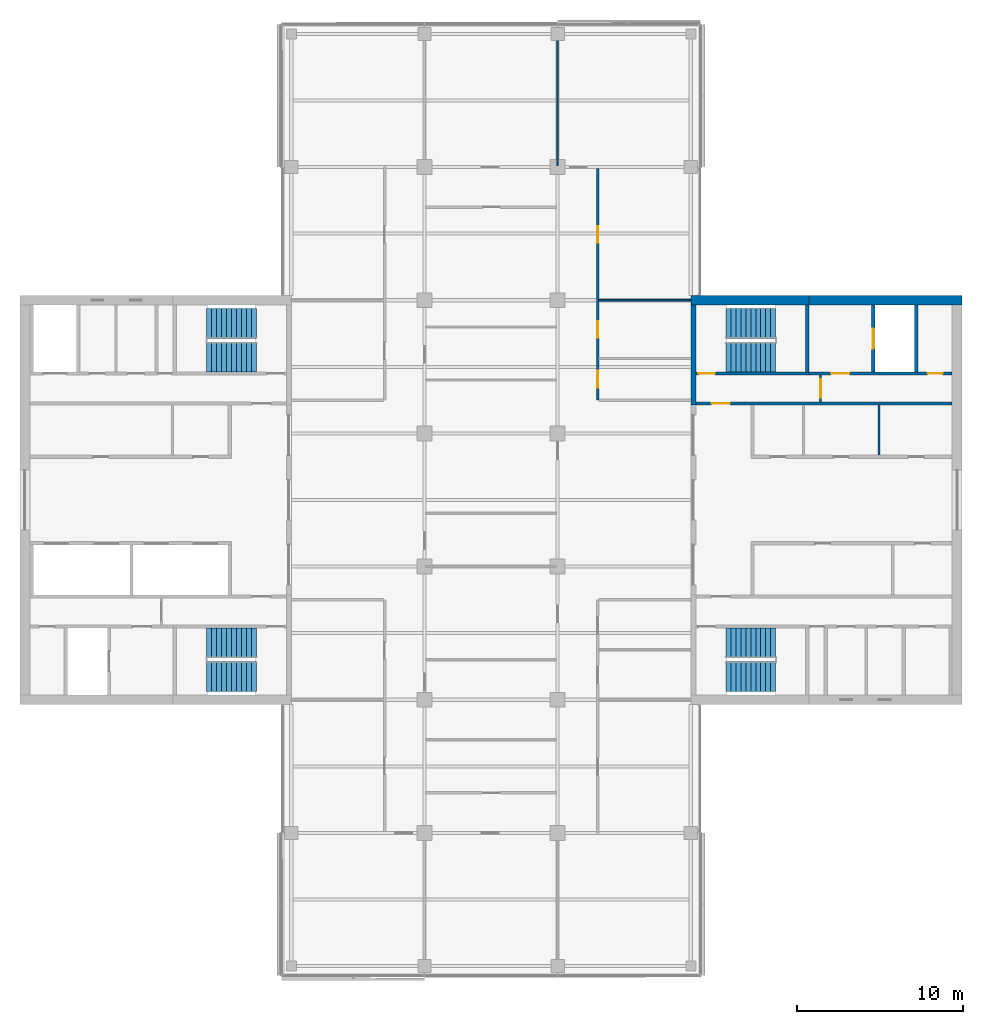
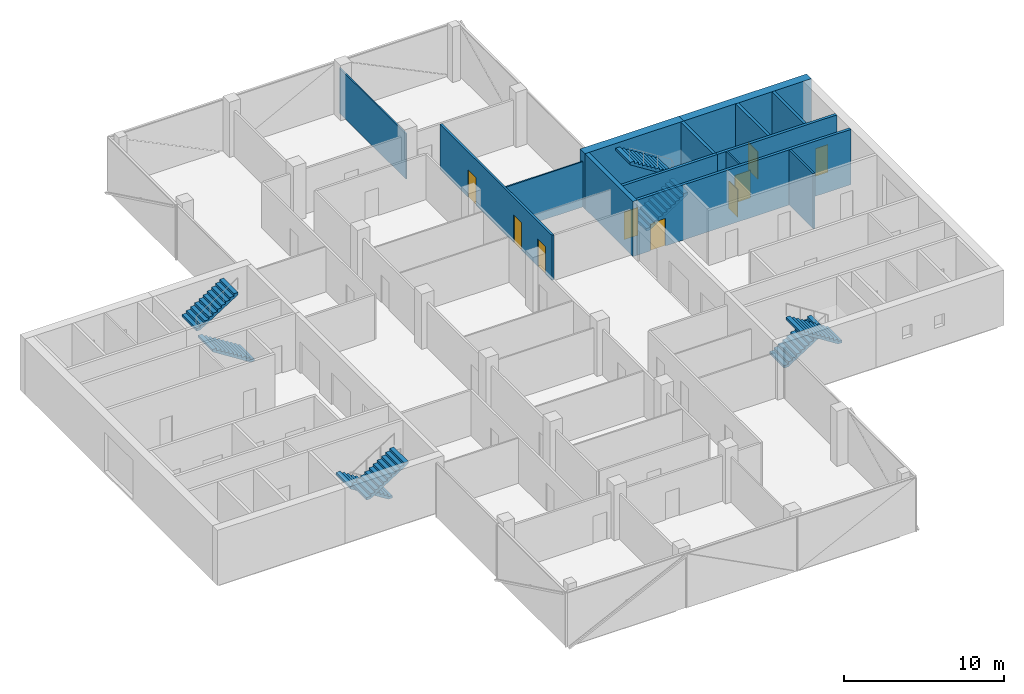
# One storey, part 12 of 15: 14 walls, 9 doors, 8 stair flights, 9 openings, 4 elements without a shape of their own.
"""IFC4 building model written with IfcOpenShell, lengths in metres."""

from ifc_helpers import new_model, si_unit, direction, frame, frame_2d, origin, place, context, subcontext, project, spatial, polyline, rectangle, outline, extrude, material, layer, layer_set, constituent, constituent_set, type_object, element, fill, aggregate, save


model = new_model("IFC4")

# Units and contexts
model_context = context("Model", 3, precision=1e-05, world=origin(), true_north=direction((0.0, 1.0)))
body_context = subcontext(model_context, "Body", "Model", "MODEL_VIEW")
ifc_project = project(units=[si_unit("LENGTHUNIT", "METRE"), si_unit("AREAUNIT", "SQUARE_METRE"), si_unit("VOLUMEUNIT", "CUBIC_METRE"), si_unit("PLANEANGLEUNIT", "RADIAN"), si_unit("MASSUNIT", "GRAM", prefix="KILO")], contexts=[model_context])

# Site, building, storey
site_placement = place(None, origin())
site = spatial("IfcSite", under=ifc_project, at=site_placement, CompositionType="ELEMENT")
building_placement = place(site_placement, origin())
building = spatial("IfcBuilding", under=site, at=building_placement, Name="Crosswind Convention Tower", CompositionType="ELEMENT")
storey_placement = place(building_placement, frame((0.0, 0.0, 199.89990234375)))
storey = spatial("IfcBuildingStorey", under=building, at=storey_placement, Name="L42", CompositionType="ELEMENT", Elevation=199.89990234375)

# Wall
ifc_material_1 = material(Name="Concrete C50/60", Category="concrete")
ifc_layer_1 = layer(ifc_material_1, 0.300048828125)
ifc_layer_set_1 = layer_set([ifc_layer_1], Name="Concrete C50/60")
wall_type_1 = type_object("IfcWallType", Name="Concrete inner core wall 300", PredefinedType="SHEAR", material=ifc_layer_set_1)
wall_1_placement = place(storey_placement, frame((137.14990234375, 105.699951171875, 0.0), z_axis=(0.0, 0.0, 1.0), x_axis=(0.0, 1.0, 0.0)))
element("IfcWall", 1, at=wall_1_placement, inside=storey, type_object=wall_type_1, Name="Wall EP E L42", PredefinedType="SHEAR", context=body_context, shape_type="SweptSolid", body=[
    extrude(rectangle(XDim=6.0, YDim=0.300048828125, at=frame_2d((3.0, 0.0))), origin(), (0.0, 0.0, 1.0), 4.2001953125),
])

# Wall, opening, door
ifc_layer_2 = layer(ifc_material_1, 0.199951171875)
ifc_layer_set_2 = layer_set([ifc_layer_2], Name="Concrete C50/60")
wall_type_2 = type_object("IfcWallType", Name="Concrete shaft and stair wall 200", PredefinedType="SHEAR", material=ifc_layer_set_2)
wall_2_placement = place(storey_placement, frame((137.300048828125, 105.800048828125, 0.0), z_axis=(0.0, 0.0, 1.0), x_axis=(1.0, 0.0, 0.0)))
wall_2 = element("IfcWall", 2, at=wall_2_placement, inside=storey, type_object=wall_type_2, Name="Wall HP E L42", PredefinedType="SHEAR", context=body_context, shape_type="SweptSolid", body=[
    extrude(rectangle(XDim=15.39990234375, YDim=0.199951171875, at=frame_2d((7.699951171875, 0.0))), origin(), (0.0, 0.0, 1.0), 4.2001953125),
])
opening_1_placement = place(wall_2_placement, frame((0.949951171875, 0.0, 0.0)))
opening_1 = element("IfcOpeningElement", 3, at=opening_1_placement, cuts=wall_2, Name="Opening D104", PredefinedType="OPENING", context=body_context, shape_type="SweptSolid", body=[
    extrude(rectangle(XDim=1.10009765625, YDim=2.10009765625, at=frame_2d((0.550048828125, 1.050048828125))), frame((0.0, 0.10986328125, 0.0), z_axis=(0.0, -1.0, 0.0), x_axis=(1.0, 0.0, 0.0)), (0.0, 0.0, 1.0), 0.219970703125),
])
ifc_material_2 = material(Name="Steel fire door", Category="steel")
door_type_1 = type_object("IfcDoorType", Name="Fire-rated single door 1100x2100", OperationType="NOTDEFINED", PredefinedType="DOOR", material=ifc_material_2)
door_1_placement = place(opening_1_placement, origin())
door_1 = element("IfcDoor", 4, at=door_1_placement, inside=storey, type_object=door_type_1, Name="Corridor door L42", ObjectType="D104", OperationType="SINGLE_SWING_LEFT", OverallHeight=2.10009765625, OverallWidth=1.10009765625, PredefinedType="DOOR", context=body_context, shape_type="SweptSolid", body=[
    extrude(rectangle(XDim=1.10009765625, YDim=2.10009765625, at=frame_2d((0.550048828125, 1.050048828125))), frame((0.0, 0.02490234375, 0.0), z_axis=(0.0, -1.0, 0.0), x_axis=(1.0, 0.0, 0.0)), (0.0, 0.0, 1.0), 0.050048828125),
])
fill(opening_1, door_1)

# Wall
wall_3_placement = place(storey_placement, frame((144.0, 107.699951171875, 0.0), z_axis=(0.0, 0.0, 1.0), x_axis=(0.0, 1.0, 0.0)))
element("IfcWall", 5, at=wall_3_placement, inside=storey, type_object=wall_type_2, Name="Wall PSE E L42", PredefinedType="SHEAR", context=body_context, shape_type="SweptSolid", body=[
    extrude(rectangle(XDim=4.0, YDim=0.199951171875, at=frame_2d((2.0, 0.0))), origin(), (0.0, 0.0, 1.0), 4.2001953125),
])

# Wall, opening, door
wall_4_placement = place(storey_placement, frame((147.949951171875, 107.699951171875, 0.0), z_axis=(0.0, 0.0, 1.0), x_axis=(0.0, 1.0, 0.0)))
wall_4 = element("IfcWall", 6, at=wall_4_placement, inside=storey, type_object=wall_type_2, Name="Wall PFLW E L42", PredefinedType="SHEAR", context=body_context, shape_type="SweptSolid", body=[
    extrude(rectangle(XDim=4.0, YDim=0.199951171875, at=frame_2d((2.0, 0.0))), origin(), (0.0, 0.0, 1.0), 4.2001953125),
])
opening_2_placement = place(wall_4_placement, frame((1.39990234375, 0.0, 0.0)))
opening_2 = element("IfcOpeningElement", 7, at=opening_2_placement, cuts=wall_4, Name="Opening LD1", PredefinedType="OPENING", context=body_context, shape_type="SweptSolid", body=[
    extrude(rectangle(XDim=1.199951171875, YDim=2.10009765625, at=frame_2d((0.60009765625, 1.050048828125))), frame((0.0, 0.10986328125, 0.0), z_axis=(0.0, -1.0, 0.0), x_axis=(1.0, 0.0, 0.0)), (0.0, 0.0, 1.0), 0.219970703125),
])
ifc_material_3 = material(Name="Stainless steel", Category="steel")
door_type_2 = type_object("IfcDoorType", Name="Lift landing door 1200x2100", OperationType="DOUBLE_DOOR_SLIDING", PredefinedType="DOOR", material=ifc_material_3)
door_2_placement = place(opening_2_placement, origin())
door_2 = element("IfcDoor", 8, at=door_2_placement, inside=storey, type_object=door_type_2, Name="Landing door FF1 L42", ObjectType="LD1", OperationType="DOUBLE_DOOR_SLIDING", OverallHeight=2.10009765625, OverallWidth=1.199951171875, PredefinedType="DOOR", context=body_context, shape_type="SweptSolid", body=[
    extrude(rectangle(XDim=1.199951171875, YDim=2.10009765625, at=frame_2d((0.60009765625, 1.050048828125))), frame((0.0, 0.02490234375, 0.0), z_axis=(0.0, -1.0, 0.0), x_axis=(1.0, 0.0, 0.0)), (0.0, 0.0, 1.0), 0.050048828125),
])
fill(opening_2, door_2)

# Wall
wall_5_placement = place(storey_placement, frame((150.550048828125, 107.699951171875, 0.0), z_axis=(0.0, 0.0, 1.0), x_axis=(0.0, 1.0, 0.0)))
element("IfcWall", 9, at=wall_5_placement, inside=storey, type_object=wall_type_2, Name="Wall PFSE E L42", PredefinedType="SHEAR", context=body_context, shape_type="SweptSolid", body=[
    extrude(rectangle(XDim=4.0, YDim=0.199951171875, at=frame_2d((2.0, 0.0))), origin(), (0.0, 0.0, 1.0), 4.2001953125),
])

# Wall, opening, door
wall_6_placement = place(storey_placement, frame((137.300048828125, 107.60009765625, 0.0), z_axis=(0.0, 0.0, 1.0), x_axis=(1.0, 0.0, 0.0)))
wall_6 = element("IfcWall", 10, at=wall_6_placement, inside=storey, type_object=wall_type_2, Name="Wall PCW E L42", PredefinedType="SHEAR", context=body_context, shape_type="SweptSolid", body=[
    extrude(rectangle(XDim=6.800048828125, YDim=0.199951171875, at=frame_2d((3.39990234375, 0.0))), origin(), (0.0, 0.0, 1.0), 4.2001953125),
])
opening_3_placement = place(wall_6_placement, frame((0.14990234375, 0.0, 0.0)))
opening_3 = element("IfcOpeningElement", 11, at=opening_3_placement, cuts=wall_6, Name="Opening D103", PredefinedType="OPENING", context=body_context, shape_type="SweptSolid", body=[
    extrude(rectangle(XDim=1.0, YDim=2.10009765625, at=frame_2d((0.5, 1.050048828125))), frame((0.0, 0.10986328125, 0.0), z_axis=(0.0, -1.0, 0.0), x_axis=(1.0, 0.0, 0.0)), (0.0, 0.0, 1.0), 0.219970703125),
])
door_type_3 = type_object("IfcDoorType", Name="Fire-rated single door 1000x2100", OperationType="NOTDEFINED", PredefinedType="DOOR", material=ifc_material_2)
door_3_placement = place(opening_3_placement, origin())
door_3 = element("IfcDoor", 12, at=door_3_placement, inside=storey, type_object=door_type_3, Name="Stair ST1 door L42", ObjectType="D103", OperationType="SINGLE_SWING_LEFT", OverallHeight=2.10009765625, OverallWidth=1.0, PredefinedType="DOOR", context=body_context, shape_type="SweptSolid", body=[
    extrude(rectangle(XDim=1.0, YDim=2.10009765625, at=frame_2d((0.5, 1.050048828125))), frame((0.0, 0.02490234375, 0.0), z_axis=(0.0, -1.0, 0.0), x_axis=(1.0, 0.0, 0.0)), (0.0, 0.0, 1.0), 0.050048828125),
])
fill(opening_3, door_3)

# Wall, openings, doors
wall_7_placement = place(storey_placement, frame((144.10009765625, 107.60009765625, 0.0), z_axis=(0.0, 0.0, 1.0), x_axis=(1.0, 0.0, 0.0)))
wall_7 = element("IfcWall", 13, at=wall_7_placement, inside=storey, type_object=wall_type_2, Name="Wall PCX E L42", PredefinedType="SHEAR", context=body_context, shape_type="SweptSolid", body=[
    extrude(rectangle(XDim=8.599853515625, YDim=0.199951171875, at=frame_2d((4.2998046875, 0.0))), origin(), (0.0, 0.0, 1.0), 4.2001953125),
])
opening_4_placement = place(wall_7_placement, frame((1.324951171875, 0.0, 0.0)))
opening_4 = element("IfcOpeningElement", 14, at=opening_4_placement, cuts=wall_7, Name="Opening D104", PredefinedType="OPENING", context=body_context, shape_type="SweptSolid", body=[
    extrude(rectangle(XDim=1.10009765625, YDim=2.10009765625, at=frame_2d((0.550048828125, 1.050048828125))), frame((0.0, 0.10986328125, 0.0), z_axis=(0.0, -1.0, 0.0), x_axis=(1.0, 0.0, 0.0)), (0.0, 0.0, 1.0), 0.219970703125),
])
opening_5_placement = place(wall_7_placement, frame((7.125, 0.0, 0.0)))
opening_5 = element("IfcOpeningElement", 15, at=opening_5_placement, cuts=wall_7, Name="Opening D106", PredefinedType="OPENING", context=body_context, shape_type="SweptSolid", body=[
    extrude(rectangle(XDim=0.89990234375, YDim=2.10009765625, at=frame_2d((0.449951171875, 1.050048828125))), frame((0.0, 0.10986328125, 0.0), z_axis=(0.0, -1.0, 0.0), x_axis=(1.0, 0.0, 0.0)), (0.0, 0.0, 1.0), 0.219970703125),
])
door_4_placement = place(opening_4_placement, origin())
door_4 = element("IfcDoor", 16, at=door_4_placement, inside=storey, type_object=door_type_1, Name="Fire-fighting lobby FF1 door L42", ObjectType="D104", OperationType="SINGLE_SWING_RIGHT", OverallHeight=2.10009765625, OverallWidth=1.10009765625, PredefinedType="DOOR", context=body_context, shape_type="SweptSolid", body=[
    extrude(rectangle(XDim=1.10009765625, YDim=2.10009765625, at=frame_2d((0.550048828125, 1.050048828125))), frame((0.0, 0.02490234375, 0.0), z_axis=(0.0, -1.0, 0.0), x_axis=(1.0, 0.0, 0.0)), (0.0, 0.0, 1.0), 0.050048828125),
])
fill(opening_4, door_4)
ifc_material_4 = material(Name="Timber door", Category="wood")
door_type_4 = type_object("IfcDoorType", Name="Single leaf door 900x2100", OperationType="NOTDEFINED", PredefinedType="DOOR", material=ifc_material_4)
door_5_placement = place(opening_5_placement, origin())
door_5 = element("IfcDoor", 17, at=door_5_placement, inside=storey, type_object=door_type_4, Name="Door to electrical room L42", ObjectType="D106", OperationType="SINGLE_SWING_RIGHT", OverallHeight=2.10009765625, OverallWidth=0.89990234375, PredefinedType="DOOR", context=body_context, shape_type="SweptSolid", body=[
    extrude(rectangle(XDim=0.89990234375, YDim=2.10009765625, at=frame_2d((0.449951171875, 1.050048828125))), frame((0.0, 0.02490234375, 0.0), z_axis=(0.0, -1.0, 0.0), x_axis=(1.0, 0.0, 0.0)), (0.0, 0.0, 1.0), 0.050048828125),
])
fill(opening_5, door_5)

# Wall
ifc_material_5 = material(Name="Gypsum plasterboard partition", Category="gypsum")
ifc_layer_3 = layer(ifc_material_5, 0.125)
ifc_layer_set_3 = layer_set([ifc_layer_3], Name="Drywall partition wall 125")
wall_type_3 = type_object("IfcWallType", Name="Drywall partition wall 125", PredefinedType="PARTITIONING", material=ifc_layer_set_3)
wall_8_placement = place(storey_placement, frame((148.297119140625, 102.699951171875, 0.0), z_axis=(0.0, 0.0, 1.0), x_axis=(0.0, 1.0, 0.0)))
element("IfcWall", 18, at=wall_8_placement, inside=storey, type_object=wall_type_3, Name="Wall RPP2 E L42", PredefinedType="PARTITIONING", context=body_context, shape_type="SweptSolid", body=[
    extrude(rectangle(XDim=3.0, YDim=0.125, at=frame_2d((1.5, 0.0))), origin(), (0.0, 0.0, 1.0), 4.2001953125),
])

# Wall, opening, door
wall_9_placement = place(storey_placement, frame((144.800048828125, 105.89990234375, 0.0), z_axis=(0.0, 0.0, 1.0), x_axis=(0.0, 1.0, 0.0)))
wall_9 = element("IfcWall", 19, at=wall_9_placement, inside=storey, type_object=wall_type_3, Name="Wall PXC1 E L42", PredefinedType="PARTITIONING", context=body_context, shape_type="SweptSolid", body=[
    extrude(rectangle(XDim=1.60009765625, YDim=0.125, at=frame_2d((0.800048828125, 0.0))), origin(), (0.0, 0.0, 1.0), 4.2001953125),
])
opening_6_placement = place(wall_9_placement, frame((0.25, 0.0, 0.0)))
opening_6 = element("IfcOpeningElement", 20, at=opening_6_placement, cuts=wall_9, Name="Opening D104", PredefinedType="OPENING", context=body_context, shape_type="SweptSolid", body=[
    extrude(rectangle(XDim=1.10009765625, YDim=2.10009765625, at=frame_2d((0.550048828125, 1.050048828125))), frame((0.0, 0.072509765625, 0.0), z_axis=(0.0, -1.0, 0.0), x_axis=(1.0, 0.0, 0.0)), (0.0, 0.0, 1.0), 0.14501953125),
])
door_6_placement = place(opening_6_placement, origin())
door_6 = element("IfcDoor", 21, at=door_6_placement, inside=storey, type_object=door_type_1, Name="Corridor smoke door L42", ObjectType="D104", OperationType="SINGLE_SWING_RIGHT", OverallHeight=2.10009765625, OverallWidth=1.10009765625, PredefinedType="DOOR", context=body_context, shape_type="SweptSolid", body=[
    extrude(rectangle(XDim=1.10009765625, YDim=2.10009765625, at=frame_2d((0.550048828125, 1.050048828125))), frame((0.0, 0.02490234375, 0.0), z_axis=(0.0, -1.0, 0.0), x_axis=(1.0, 0.0, 0.0)), (0.0, 0.0, 1.0), 0.050048828125),
])
fill(opening_6, door_6)

# Walls
ifc_material_6 = material(Name="Plasterboard partition", Category="gypsum")
ifc_layer_4 = layer(ifc_material_6, 0.10009765625)
ifc_layer_set_4 = layer_set([ifc_layer_4], Name="PARTITION 100 METAL STUD")
wall_type_4 = type_object("IfcWallType", Name="PARTITION 100 METAL STUD", PredefinedType="PARTITIONING", material=ifc_layer_set_4)
wall_10_placement = place(storey_placement, frame((129.0, 120.074951171875, 0.0), z_axis=(0.0, 0.0, 1.0), x_axis=(0.0, 1.0, 0.0)))
element("IfcWall", 22, at=wall_10_placement, inside=storey, type_object=wall_type_4, Name="Partition wall WT40", PredefinedType="PARTITIONING", context=body_context, shape_type="SweptSolid", body=[
    extrude(rectangle(XDim=8.295166015625, YDim=0.10009765625, at=frame_2d((4.1474609375, 0.0))), origin(), (0.0, 0.0, 1.0), 3.43994140625),
])
wall_11_placement = place(storey_placement, frame((131.47509765625, 112.0, 0.0), z_axis=(0.0, 0.0, 1.0), x_axis=(1.0, 0.0, 0.0)))
element("IfcWall", 23, at=wall_11_placement, inside=storey, type_object=wall_type_4, Name="Partition wall WT40", PredefinedType="PARTITIONING", context=body_context, shape_type="SweptSolid", body=[
    extrude(rectangle(XDim=5.52490234375, YDim=0.10009765625, at=frame_2d((2.762451171875, 0.0))), origin(), (0.0, 0.0, 1.0), 3.43994140625),
])

# Wall, openings, doors
ifc_material_7 = material(Name="Fire-board partition with mineral wool", Category="gypsum")
ifc_layer_5 = layer(ifc_material_7, 0.14990234375)
ifc_layer_set_5 = layer_set([ifc_layer_5], Name="TENANCY WALL 150 TWO-HOUR BOARD")
wall_type_5 = type_object("IfcWallType", Name="TENANCY WALL 150 TWO-HOUR BOARD", PredefinedType="PARTITIONING", material=ifc_layer_set_5)
wall_12_placement = place(storey_placement, frame((131.39990234375, 106.0, 0.0), z_axis=(0.0, 0.0, 1.0), x_axis=(0.0, 1.0, 0.0)))
wall_12 = element("IfcWall", 24, at=wall_12_placement, inside=storey, type_object=wall_type_5, Name="Tenancy wall WT41", PredefinedType="PARTITIONING", context=body_context, shape_type="SweptSolid", body=[
    extrude(rectangle(XDim=13.925048828125, YDim=0.14990234375, at=frame_2d((6.96240234375, 0.0))), origin(), (0.0, 0.0, 1.0), 3.43994140625),
])
opening_7_placement = place(wall_12_placement, frame((0.75, 0.0, 0.0)))
opening_7 = element("IfcOpeningElement", 25, at=opening_7_placement, cuts=wall_12, Name="Opening L42-50", PredefinedType="OPENING", context=body_context, shape_type="SweptSolid", body=[
    extrude(rectangle(XDim=1.0, YDim=2.10009765625, at=frame_2d((0.5, 1.050048828125))), frame((0.0, 0.0849609375, 0.0), z_axis=(0.0, -1.0, 0.0), x_axis=(1.0, 0.0, 0.0)), (0.0, 0.0, 1.0), 0.169921875),
])
opening_8_placement = place(wall_12_placement, frame((3.75, 0.0, 0.0)))
opening_8 = element("IfcOpeningElement", 26, at=opening_8_placement, cuts=wall_12, Name="Opening L42-51", PredefinedType="OPENING", context=body_context, shape_type="SweptSolid", body=[
    extrude(rectangle(XDim=1.0, YDim=2.10009765625, at=frame_2d((0.5, 1.050048828125))), frame((0.0, 0.0849609375, 0.0), z_axis=(0.0, -1.0, 0.0), x_axis=(1.0, 0.0, 0.0)), (0.0, 0.0, 1.0), 0.169921875),
])
opening_9_placement = place(wall_12_placement, frame((9.449951171875, 0.0, 0.0)))
opening_9 = element("IfcOpeningElement", 27, at=opening_9_placement, cuts=wall_12, Name="Opening L42-52", PredefinedType="OPENING", context=body_context, shape_type="SweptSolid", body=[
    extrude(rectangle(XDim=1.0, YDim=2.10009765625, at=frame_2d((0.5, 1.050048828125))), frame((0.0, 0.0849609375, 0.0), z_axis=(0.0, -1.0, 0.0), x_axis=(1.0, 0.0, 0.0)), (0.0, 0.0, 1.0), 0.169921875),
])
ifc_material_8 = material(Name="Timber fire door", Category="wood")
door_type_5 = type_object("IfcDoorType", Name="TENANCY ENTRANCE DOOR 1000X2100 FD30S", OperationType="NOTDEFINED", PredefinedType="DOOR", material=ifc_material_8)
door_7_placement = place(opening_7_placement, frame((1.0, 0.0, 0.0), z_axis=(0.0, 0.0, 1.0), x_axis=(-1.0, 0.0, 0.0)))
door_7 = element("IfcDoor", 28, at=door_7_placement, inside=storey, type_object=door_type_5, Name="Door L42-50", ObjectType="D41", OperationType="SINGLE_SWING_LEFT", OverallHeight=2.10009765625, OverallWidth=1.0, PredefinedType="DOOR", context=body_context, shape_type="SweptSolid", body=[
    extrude(rectangle(XDim=1.0, YDim=2.10009765625, at=frame_2d((0.5, 1.050048828125))), frame((0.0, 0.02490234375, 0.0), z_axis=(0.0, -1.0, 0.0), x_axis=(1.0, 0.0, 0.0)), (0.0, 0.0, 1.0), 0.050048828125),
])
fill(opening_7, door_7)
door_8_placement = place(opening_8_placement, frame((1.0, 0.0, 0.0), z_axis=(0.0, 0.0, 1.0), x_axis=(-1.0, 0.0, 0.0)))
door_8 = element("IfcDoor", 29, at=door_8_placement, inside=storey, type_object=door_type_5, Name="Door L42-51", ObjectType="D41", OperationType="SINGLE_SWING_LEFT", OverallHeight=2.10009765625, OverallWidth=1.0, PredefinedType="DOOR", context=body_context, shape_type="SweptSolid", body=[
    extrude(rectangle(XDim=1.0, YDim=2.10009765625, at=frame_2d((0.5, 1.050048828125))), frame((0.0, 0.02490234375, 0.0), z_axis=(0.0, -1.0, 0.0), x_axis=(1.0, 0.0, 0.0)), (0.0, 0.0, 1.0), 0.050048828125),
])
fill(opening_8, door_8)
door_9_placement = place(opening_9_placement, frame((1.0, 0.0, 0.0), z_axis=(0.0, 0.0, 1.0), x_axis=(-1.0, 0.0, 0.0)))
door_9 = element("IfcDoor", 30, at=door_9_placement, inside=storey, type_object=door_type_5, Name="Door L42-52", ObjectType="D41", OperationType="SINGLE_SWING_RIGHT", OverallHeight=2.10009765625, OverallWidth=1.0, PredefinedType="DOOR", context=body_context, shape_type="SweptSolid", body=[
    extrude(rectangle(XDim=1.0, YDim=2.10009765625, at=frame_2d((0.5, 1.050048828125))), frame((0.0, 0.02490234375, 0.0), z_axis=(0.0, -1.0, 0.0), x_axis=(1.0, 0.0, 0.0)), (0.0, 0.0, 1.0), 0.050048828125),
])
fill(opening_9, door_9)

# Walls
ifc_material_9 = material(Name="Concrete C60/75", Category="concrete")
ifc_constituent_1 = constituent(ifc_material_9, Name="Structure")
ifc_material_10 = material(Name="Terracotta rainscreen", Category="ceramic")
ifc_constituent_2 = constituent(ifc_material_10, Name="Facing")
ifc_constituent_set = constituent_set(constituents=[ifc_constituent_1, ifc_constituent_2], Name="Concrete C60/75, Terracotta rainscreen")
wall_type_6 = type_object("IfcWallType", Name="Terracotta rainscreen on concrete core wall 600", PredefinedType="SHEAR", material=ifc_constituent_set)
wall_13_placement = place(storey_placement, frame((137.0, 112.0, 0.0), z_axis=(0.0, 0.0, 1.0), x_axis=(1.0, 0.0, 0.0)))
element("IfcWall", 31, at=wall_13_placement, inside=storey, type_object=wall_type_6, Name="Wall N1 E L42", PredefinedType="SHEAR", context=body_context, shape_type="SweptSolid", body=[
    extrude(rectangle(XDim=7.10009765625, YDim=0.60009765625, at=frame_2d((3.550048828125, 0.0))), origin(), (0.0, 0.0, 1.0), 4.2001953125),
])
wall_14_placement = place(storey_placement, frame((144.10009765625, 112.0, 0.0), z_axis=(0.0, 0.0, 1.0), x_axis=(1.0, 0.0, 0.0)))
element("IfcWall", 32, at=wall_14_placement, inside=storey, type_object=wall_type_6, Name="Wall N2 E L42", PredefinedType="SHEAR", context=body_context, shape_type="SweptSolid", body=[
    extrude(rectangle(XDim=9.199951171875, YDim=0.60009765625, at=frame_2d((4.60009765625, 0.0))), origin(), (0.0, 0.0, 1.0), 4.2001953125),
])

# Stair, stair flights
ifc_material_11 = material(Name="Concrete C40/50", Category="concrete")
stair_type = type_object("IfcStairType", Name="Exit stair 1800 wide, 2 flights of 11 risers", PredefinedType="HALF_TURN_STAIR", material=ifc_material_11)
stair_1_placement = place(storey_placement, origin())
stair_1 = element("IfcStair", 33, at=stair_1_placement, inside=storey, type_object=stair_type, Name="Exit stair ST1 L42", ObjectType="ST5", PredefinedType="HALF_TURN_STAIR")
stair_flight_type = type_object("IfcStairFlightType", Name="Stair flight 1800 wide, 11 risers (SF4)", PredefinedType="STRAIGHT", material=ifc_material_11)
stair_flight_1_placement = place(storey_placement, frame((139.10009765625, 108.60009765625, 0.0), z_axis=(0.0, 0.0, 1.0), x_axis=(1.0, 0.0, 0.0)))
stair_flight_1 = element("IfcStairFlight", 34, at=stair_flight_1_placement, type_object=stair_flight_type, Name="ST1 flight 1", NumberOfRisers=11, NumberOfTreads=10, PredefinedType="STRAIGHT", RiserHeight=0.190909091, TreadLength=0.3, context=body_context, shape_type="SweptSolid", body=[
    extrude(outline(polyline([(0.0, 0.0), (0.0, 0.19091796875), (0.300048828125, 0.19091796875), (0.300048828125, 0.3818359375), (0.60009765625, 0.3818359375), (0.60009765625, 0.57275390625), (0.89990234375, 0.57275390625), (0.89990234375, 0.763671875), (1.199951171875, 0.763671875), (1.199951171875, 0.95458984375), (1.5, 0.95458984375), (1.5, 1.1455078125), (1.800048828125, 1.1455078125), (1.800048828125, 1.33642578125), (2.10009765625, 1.33642578125), (2.10009765625, 1.52734375), (2.39990234375, 1.52734375), (2.39990234375, 1.71826171875), (2.699951171875, 1.71826171875), (2.699951171875, 1.9091796875), (3.0, 1.9091796875), (3.0, 2.10009765625), (3.0, 1.7314453125), (0.279296875, 0.0), (0.0, 0.0)])), frame((0.0, 0.89990234375, 0.0), z_axis=(0.0, -1.0, 0.0), x_axis=(1.0, 0.0, 0.0)), (0.0, 0.0, 1.0), 1.800048828125),
])
stair_flight_2_placement = place(storey_placement, frame((142.10009765625, 110.60009765625, 2.10009765625), z_axis=(0.0, 0.0, 1.0), x_axis=(-1.0, 0.0, 0.0)))
stair_flight_2 = element("IfcStairFlight", 35, at=stair_flight_2_placement, type_object=stair_flight_type, Name="ST1 flight 2", NumberOfRisers=11, NumberOfTreads=10, PredefinedType="STRAIGHT", RiserHeight=0.190909091, TreadLength=0.3, context=body_context, shape_type="SweptSolid", body=[
    extrude(outline(polyline([(0.0, 0.0), (0.0, 0.19091796875), (0.300048828125, 0.19091796875), (0.300048828125, 0.3818359375), (0.60009765625, 0.3818359375), (0.60009765625, 0.57275390625), (0.89990234375, 0.57275390625), (0.89990234375, 0.763671875), (1.199951171875, 0.763671875), (1.199951171875, 0.95458984375), (1.5, 0.95458984375), (1.5, 1.1455078125), (1.800048828125, 1.1455078125), (1.800048828125, 1.33642578125), (2.10009765625, 1.33642578125), (2.10009765625, 1.52734375), (2.39990234375, 1.52734375), (2.39990234375, 1.71826171875), (2.699951171875, 1.71826171875), (2.699951171875, 1.9091796875), (3.0, 1.9091796875), (3.0, 2.10009765625), (3.0, 1.7314453125), (0.279296875, 0.0), (0.0, 0.0)])), frame((0.0, 0.89990234375, 0.0), z_axis=(0.0, -1.0, 0.0), x_axis=(1.0, 0.0, 0.0)), (0.0, 0.0, 1.0), 1.800048828125),
])
aggregate(stair_1, [stair_flight_1, stair_flight_2])

stair_2_placement = place(storey_placement, origin())
stair_2 = element("IfcStair", 36, at=stair_2_placement, inside=storey, type_object=stair_type, Name="Exit stair ST2 L42", ObjectType="ST5", PredefinedType="HALF_TURN_STAIR")
stair_flight_3_placement = place(storey_placement, frame((139.10009765625, 91.39990234375, 0.0), z_axis=(0.0, 0.0, 1.0), x_axis=(1.0, 0.0, 0.0)))
stair_flight_3 = element("IfcStairFlight", 37, at=stair_flight_3_placement, type_object=stair_flight_type, Name="ST2 flight 1", NumberOfRisers=11, NumberOfTreads=10, PredefinedType="STRAIGHT", RiserHeight=0.190909091, TreadLength=0.3, context=body_context, shape_type="SweptSolid", body=[
    extrude(outline(polyline([(0.0, 0.0), (0.0, 0.19091796875), (0.300048828125, 0.19091796875), (0.300048828125, 0.3818359375), (0.60009765625, 0.3818359375), (0.60009765625, 0.57275390625), (0.89990234375, 0.57275390625), (0.89990234375, 0.763671875), (1.199951171875, 0.763671875), (1.199951171875, 0.95458984375), (1.5, 0.95458984375), (1.5, 1.1455078125), (1.800048828125, 1.1455078125), (1.800048828125, 1.33642578125), (2.10009765625, 1.33642578125), (2.10009765625, 1.52734375), (2.39990234375, 1.52734375), (2.39990234375, 1.71826171875), (2.699951171875, 1.71826171875), (2.699951171875, 1.9091796875), (3.0, 1.9091796875), (3.0, 2.10009765625), (3.0, 1.7314453125), (0.279296875, 0.0), (0.0, 0.0)])), frame((0.0, 0.89990234375, 0.0), z_axis=(0.0, -1.0, 0.0), x_axis=(1.0, 0.0, 0.0)), (0.0, 0.0, 1.0), 1.800048828125),
])
stair_flight_4_placement = place(storey_placement, frame((142.10009765625, 89.39990234375, 2.10009765625), z_axis=(0.0, 0.0, 1.0), x_axis=(-1.0, 0.0, 0.0)))
stair_flight_4 = element("IfcStairFlight", 38, at=stair_flight_4_placement, type_object=stair_flight_type, Name="ST2 flight 2", NumberOfRisers=11, NumberOfTreads=10, PredefinedType="STRAIGHT", RiserHeight=0.190909091, TreadLength=0.3, context=body_context, shape_type="SweptSolid", body=[
    extrude(outline(polyline([(0.0, 0.0), (0.0, 0.19091796875), (0.300048828125, 0.19091796875), (0.300048828125, 0.3818359375), (0.60009765625, 0.3818359375), (0.60009765625, 0.57275390625), (0.89990234375, 0.57275390625), (0.89990234375, 0.763671875), (1.199951171875, 0.763671875), (1.199951171875, 0.95458984375), (1.5, 0.95458984375), (1.5, 1.1455078125), (1.800048828125, 1.1455078125), (1.800048828125, 1.33642578125), (2.10009765625, 1.33642578125), (2.10009765625, 1.52734375), (2.39990234375, 1.52734375), (2.39990234375, 1.71826171875), (2.699951171875, 1.71826171875), (2.699951171875, 1.9091796875), (3.0, 1.9091796875), (3.0, 2.10009765625), (3.0, 1.7314453125), (0.279296875, 0.0), (0.0, 0.0)])), frame((0.0, 0.89990234375, 0.0), z_axis=(0.0, -1.0, 0.0), x_axis=(1.0, 0.0, 0.0)), (0.0, 0.0, 1.0), 1.800048828125),
])
aggregate(stair_2, [stair_flight_3, stair_flight_4])

stair_3_placement = place(storey_placement, origin())
stair_3 = element("IfcStair", 39, at=stair_3_placement, inside=storey, type_object=stair_type, Name="Exit stair ST3 L42", ObjectType="ST5", PredefinedType="HALF_TURN_STAIR")
stair_flight_5_placement = place(storey_placement, frame((110.89990234375, 91.39990234375, 0.0), z_axis=(0.0, 0.0, 1.0), x_axis=(-1.0, 0.0, 0.0)))
stair_flight_5 = element("IfcStairFlight", 40, at=stair_flight_5_placement, type_object=stair_flight_type, Name="ST3 flight 1", NumberOfRisers=11, NumberOfTreads=10, PredefinedType="STRAIGHT", RiserHeight=0.190909091, TreadLength=0.3, context=body_context, shape_type="SweptSolid", body=[
    extrude(outline(polyline([(0.0, 0.0), (0.0, 0.19091796875), (0.300048828125, 0.19091796875), (0.300048828125, 0.3818359375), (0.60009765625, 0.3818359375), (0.60009765625, 0.57275390625), (0.89990234375, 0.57275390625), (0.89990234375, 0.763671875), (1.199951171875, 0.763671875), (1.199951171875, 0.95458984375), (1.5, 0.95458984375), (1.5, 1.1455078125), (1.800048828125, 1.1455078125), (1.800048828125, 1.33642578125), (2.10009765625, 1.33642578125), (2.10009765625, 1.52734375), (2.39990234375, 1.52734375), (2.39990234375, 1.71826171875), (2.699951171875, 1.71826171875), (2.699951171875, 1.9091796875), (3.0, 1.9091796875), (3.0, 2.10009765625), (3.0, 1.7314453125), (0.279296875, 0.0), (0.0, 0.0)])), frame((0.0, 0.89990234375, 0.0), z_axis=(0.0, -1.0, 0.0), x_axis=(1.0, 0.0, 0.0)), (0.0, 0.0, 1.0), 1.800048828125),
])
stair_flight_6_placement = place(storey_placement, frame((107.89990234375, 89.39990234375, 2.10009765625), z_axis=(0.0, 0.0, 1.0), x_axis=(1.0, 0.0, 0.0)))
stair_flight_6 = element("IfcStairFlight", 41, at=stair_flight_6_placement, type_object=stair_flight_type, Name="ST3 flight 2", NumberOfRisers=11, NumberOfTreads=10, PredefinedType="STRAIGHT", RiserHeight=0.190909091, TreadLength=0.3, context=body_context, shape_type="SweptSolid", body=[
    extrude(outline(polyline([(0.0, 0.0), (0.0, 0.19091796875), (0.300048828125, 0.19091796875), (0.300048828125, 0.3818359375), (0.60009765625, 0.3818359375), (0.60009765625, 0.57275390625), (0.89990234375, 0.57275390625), (0.89990234375, 0.763671875), (1.199951171875, 0.763671875), (1.199951171875, 0.95458984375), (1.5, 0.95458984375), (1.5, 1.1455078125), (1.800048828125, 1.1455078125), (1.800048828125, 1.33642578125), (2.10009765625, 1.33642578125), (2.10009765625, 1.52734375), (2.39990234375, 1.52734375), (2.39990234375, 1.71826171875), (2.699951171875, 1.71826171875), (2.699951171875, 1.9091796875), (3.0, 1.9091796875), (3.0, 2.10009765625), (3.0, 1.7314453125), (0.279296875, 0.0), (0.0, 0.0)])), frame((0.0, 0.89990234375, 0.0), z_axis=(0.0, -1.0, 0.0), x_axis=(1.0, 0.0, 0.0)), (0.0, 0.0, 1.0), 1.800048828125),
])
aggregate(stair_3, [stair_flight_5, stair_flight_6])

stair_4_placement = place(storey_placement, origin())
stair_4 = element("IfcStair", 42, at=stair_4_placement, inside=storey, type_object=stair_type, Name="Exit stair ST4 L42", ObjectType="ST5", PredefinedType="HALF_TURN_STAIR")
stair_flight_7_placement = place(storey_placement, frame((110.89990234375, 108.60009765625, 0.0), z_axis=(0.0, 0.0, 1.0), x_axis=(-1.0, 0.0, 0.0)))
stair_flight_7 = element("IfcStairFlight", 43, at=stair_flight_7_placement, type_object=stair_flight_type, Name="ST4 flight 1", NumberOfRisers=11, NumberOfTreads=10, PredefinedType="STRAIGHT", RiserHeight=0.190909091, TreadLength=0.3, context=body_context, shape_type="SweptSolid", body=[
    extrude(outline(polyline([(0.0, 0.0), (0.0, 0.19091796875), (0.300048828125, 0.19091796875), (0.300048828125, 0.3818359375), (0.60009765625, 0.3818359375), (0.60009765625, 0.57275390625), (0.89990234375, 0.57275390625), (0.89990234375, 0.763671875), (1.199951171875, 0.763671875), (1.199951171875, 0.95458984375), (1.5, 0.95458984375), (1.5, 1.1455078125), (1.800048828125, 1.1455078125), (1.800048828125, 1.33642578125), (2.10009765625, 1.33642578125), (2.10009765625, 1.52734375), (2.39990234375, 1.52734375), (2.39990234375, 1.71826171875), (2.699951171875, 1.71826171875), (2.699951171875, 1.9091796875), (3.0, 1.9091796875), (3.0, 2.10009765625), (3.0, 1.7314453125), (0.279296875, 0.0), (0.0, 0.0)])), frame((0.0, 0.89990234375, 0.0), z_axis=(0.0, -1.0, 0.0), x_axis=(1.0, 0.0, 0.0)), (0.0, 0.0, 1.0), 1.800048828125),
])
stair_flight_8_placement = place(storey_placement, frame((107.89990234375, 110.60009765625, 2.10009765625), z_axis=(0.0, 0.0, 1.0), x_axis=(1.0, 0.0, 0.0)))
stair_flight_8 = element("IfcStairFlight", 44, at=stair_flight_8_placement, type_object=stair_flight_type, Name="ST4 flight 2", NumberOfRisers=11, NumberOfTreads=10, PredefinedType="STRAIGHT", RiserHeight=0.190909091, TreadLength=0.3, context=body_context, shape_type="SweptSolid", body=[
    extrude(outline(polyline([(0.0, 0.0), (0.0, 0.19091796875), (0.300048828125, 0.19091796875), (0.300048828125, 0.3818359375), (0.60009765625, 0.3818359375), (0.60009765625, 0.57275390625), (0.89990234375, 0.57275390625), (0.89990234375, 0.763671875), (1.199951171875, 0.763671875), (1.199951171875, 0.95458984375), (1.5, 0.95458984375), (1.5, 1.1455078125), (1.800048828125, 1.1455078125), (1.800048828125, 1.33642578125), (2.10009765625, 1.33642578125), (2.10009765625, 1.52734375), (2.39990234375, 1.52734375), (2.39990234375, 1.71826171875), (2.699951171875, 1.71826171875), (2.699951171875, 1.9091796875), (3.0, 1.9091796875), (3.0, 2.10009765625), (3.0, 1.7314453125), (0.279296875, 0.0), (0.0, 0.0)])), frame((0.0, 0.89990234375, 0.0), z_axis=(0.0, -1.0, 0.0), x_axis=(1.0, 0.0, 0.0)), (0.0, 0.0, 1.0), 1.800048828125),
])
aggregate(stair_4, [stair_flight_7, stair_flight_8])

save(model, "model.ifc")
